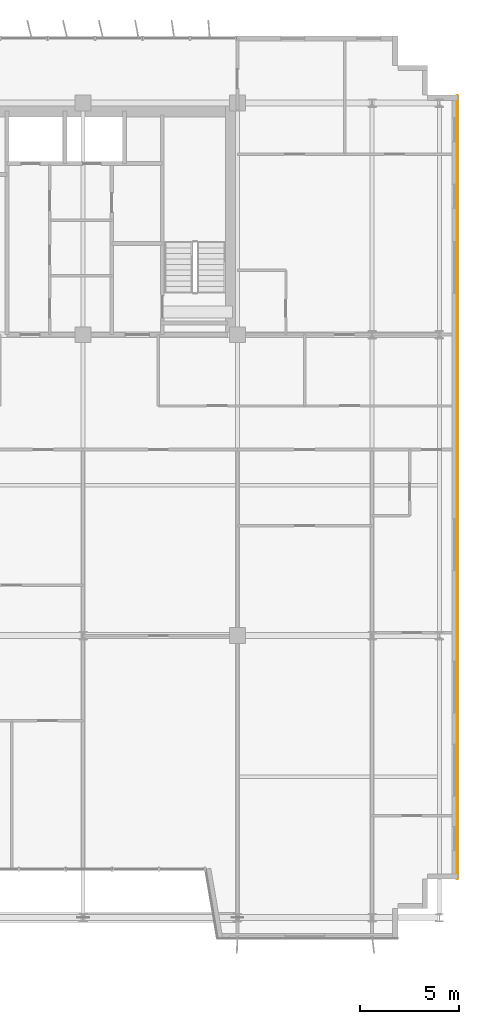
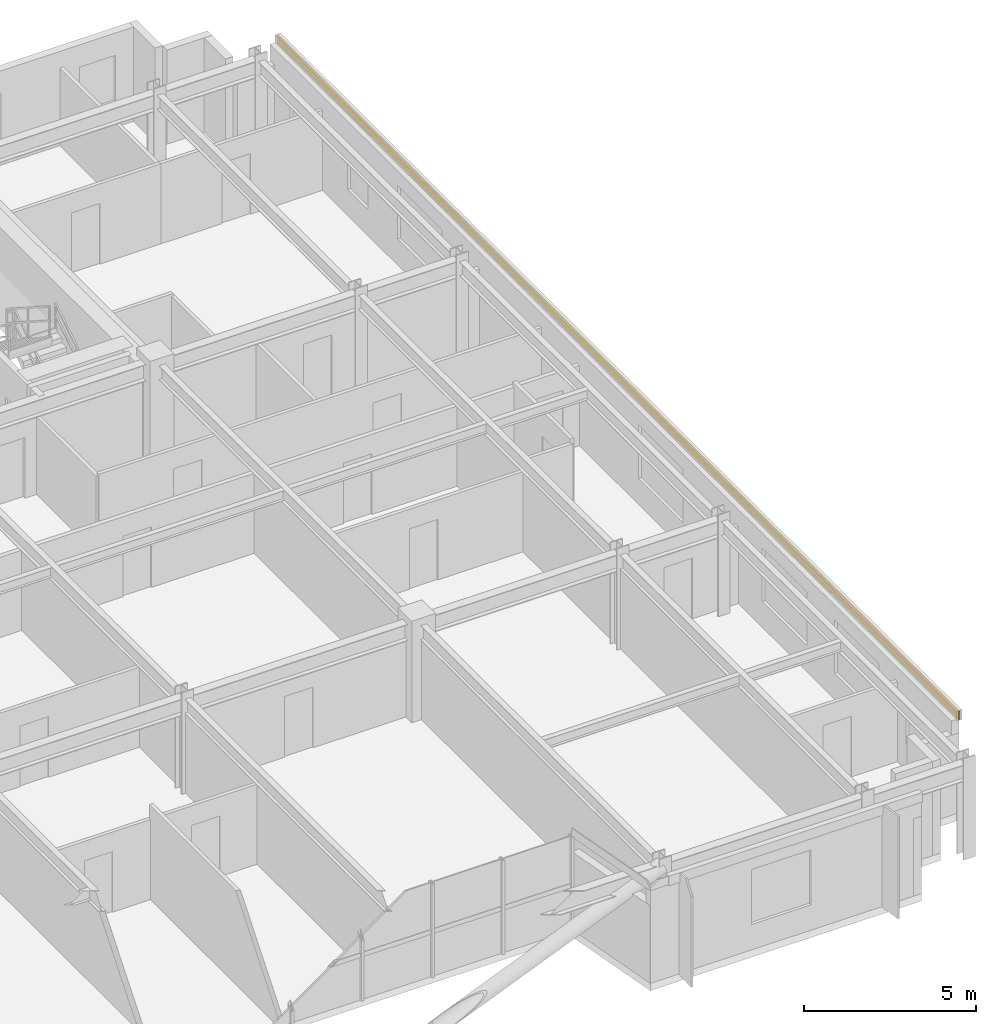
# One storey, part 26 of 26: 1 covering.
"""IFC4 building model written with IfcOpenShell, lengths in metres."""

from ifc_helpers import new_model, si_unit, direction, frame, origin, origin_2d, place, context, subcontext, project, spatial, rectangle, extrude, source, transform, mapped, material, layer, layer_set, type_object, element, save


model = new_model("IFC4")

# Units and contexts
model_context = context("Model", 3, precision=1e-05, world=origin(), true_north=direction((0.0, 1.0)))
body_context = subcontext(model_context, "Body", "Model", "MODEL_VIEW")
ifc_project = project(units=[si_unit("LENGTHUNIT", "METRE"), si_unit("AREAUNIT", "SQUARE_METRE"), si_unit("VOLUMEUNIT", "CUBIC_METRE"), si_unit("PLANEANGLEUNIT", "RADIAN"), si_unit("MASSUNIT", "GRAM", prefix="KILO")], contexts=[model_context])

# Site, building, storey
site_placement = place(None, origin())
site = spatial("IfcSite", under=ifc_project, at=site_placement, CompositionType="ELEMENT")
building_placement = place(site_placement, origin())
building = spatial("IfcBuilding", under=site, at=building_placement, Name="Trelvane Seafront Commons", CompositionType="ELEMENT")
storey_placement = place(building_placement, frame((0.0, 0.0, 124.89990234375)))
storey = spatial("IfcBuildingStorey", under=building, at=storey_placement, Name="L32", CompositionType="ELEMENT", Elevation=124.89990234375)

# Covering
ifc_material = material(Name="Anodised pale-silver aluminium", Category="aluminium")
ifc_layer = layer(ifc_material, 0.034912109375, Name="ARCH-COV-CLAD35")
ifc_layer_set = layer_set([ifc_layer], Name="Anodised pale-silver aluminium")
covering_type = type_object("IfcCoveringType", Name="ARCH-COV-CLAD35", PredefinedType="CLADDING", material=ifc_layer_set)
shared_shape = source(origin(), body_context, "Body", "SweptSolid", [
    extrude(rectangle(XDim=39.60009765625, YDim=0.034912109375, at=origin_2d()), origin(), (0.0, 0.0, 1.0), 0.300048828125),
])
covering_placement = place(storey_placement, frame((69.89990234375, 25.699951171875, 3.30029296875), z_axis=(0.0, 0.0, 1.0), x_axis=(0.0, -1.0, 0.0)))
element("IfcCovering", 1, at=covering_placement, inside=storey, type_object=covering_type, Name="CLD-L32-00132", PredefinedType="CLADDING", context=body_context, shape_type="MappedRepresentation", body=[
    mapped(shared_shape, transform((0.0, 0.0, 0.0), x_axis=(1.0, 0.0, 0.0), y_axis=(0.0, 1.0, 0.0), z_axis=(0.0, 0.0, 1.0), scale=1.0)),
])

save(model, "model.ifc")
